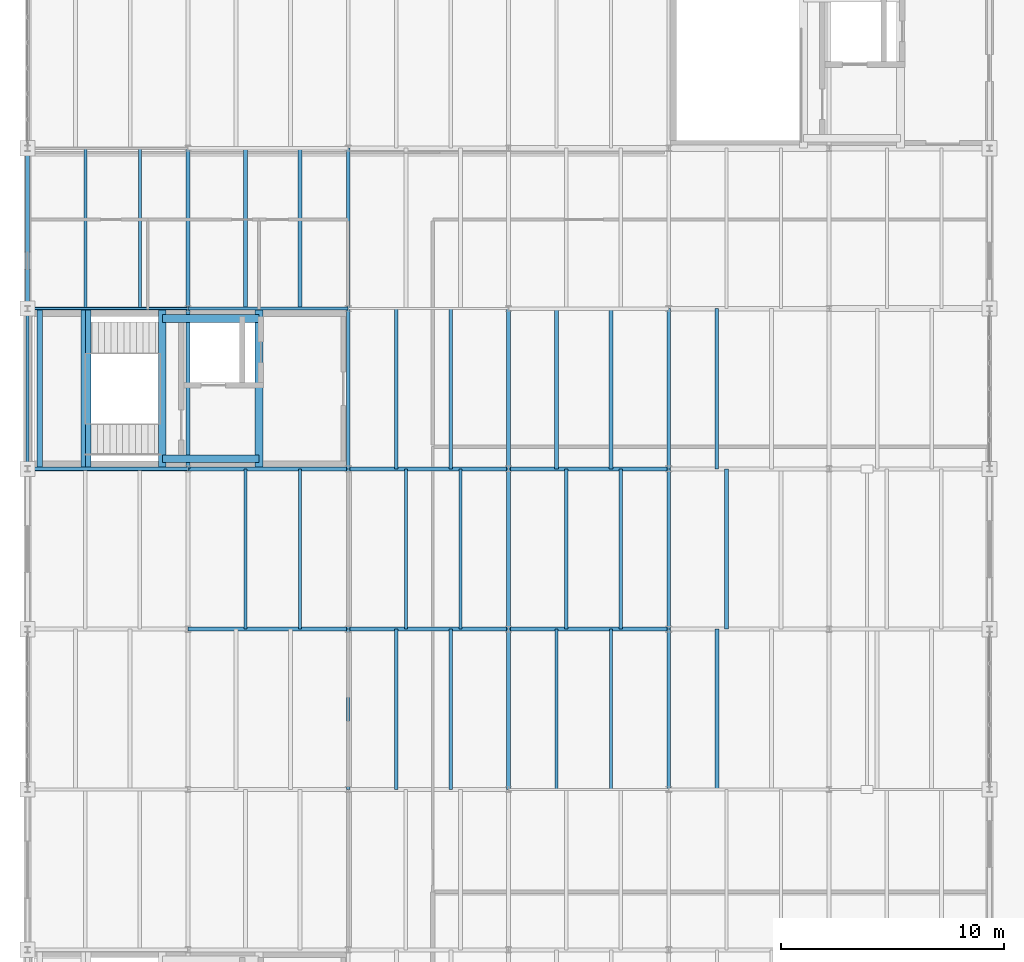
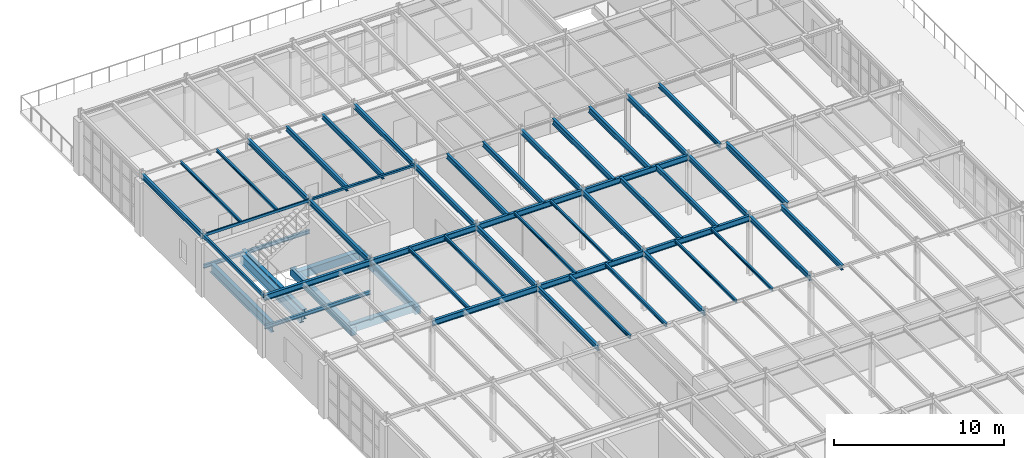
# One storey, part 19 of 36: 53 beams.
"""IFC4 building model written with IfcOpenShell, lengths in metres."""

from ifc_helpers import new_model, si_unit, direction, frame, origin, origin_2d, place, context, subcontext, project, spatial, rectangle, hollow_rectangle, i_section, extrude, material, material_profile, profile_set, type_object, element, save


model = new_model("IFC4")

# Units and contexts
model_context = context("Model", 3, precision=1e-05, world=origin(), true_north=direction((0.0, 1.0)))
body_context = subcontext(model_context, "Body", "Model", "MODEL_VIEW")
ifc_project = project(units=[si_unit("LENGTHUNIT", "METRE"), si_unit("AREAUNIT", "SQUARE_METRE"), si_unit("VOLUMEUNIT", "CUBIC_METRE"), si_unit("PLANEANGLEUNIT", "RADIAN"), si_unit("MASSUNIT", "GRAM", prefix="KILO")], contexts=[model_context])

# Site, building, storey
site_placement = place(None, origin())
site = spatial("IfcSite", under=ifc_project, at=site_placement, CompositionType="ELEMENT")
building_placement = place(site_placement, origin())
building = spatial("IfcBuilding", under=site, at=building_placement, Name="Kemerveld Promenade Tramway Depot", CompositionType="ELEMENT")
storey_placement = place(building_placement, frame((0.0, 0.0, 14.39990234375)))
storey = spatial("IfcBuildingStorey", under=building, at=storey_placement, Name="L03", CompositionType="ELEMENT", Elevation=14.39990234375)

# Beams
ifc_material_1 = material(Name="Steel S355", Category="steel")
ifc_material_profile_1 = material_profile(ifc_material_1, i_section(OverallWidth=0.25439453125, OverallDepth=0.6875, WebThickness=0.01318359375, FlangeThickness=0.02099609375, FilletRadius=0.01513671875, at=origin_2d()), Name="686x254x152 UB")
ifc_profile_set_1 = profile_set([ifc_material_profile_1], Name="Steel S355")
beam_type_1 = type_object("IfcBeamType", Name="BM-G03", PredefinedType="BEAM", material=ifc_profile_set_1)
for number, where, z_axis, x_axis, name in (
    (1, (0.550048828125, 43.199951171875, 1.726318359375), (0.0, 1.0, 0.0), (-1.0, 0.0, 0.0), "BM-HL-ST-02-L03-W"),
    (2, (2.530029296875, 43.199951171875, 1.726318359375), (0.0, 1.0, 0.0), (-1.0, 0.0, 0.0), "BM-HL-ST-02-L03-M"),
    (3, (2.719970703125, 43.199951171875, 1.90625), (0.0, 1.0, 0.0), (-1.0, 0.0, 0.0), "BM-HL-ST-02-L03-F2"),
):
    element("IfcBeam", number, at=place(storey_placement, frame(where, z_axis=z_axis, x_axis=x_axis)), inside=storey, type_object=beam_type_1, Name=name, PredefinedType="BEAM", context=body_context, shape_type="SweptSolid", body=[
        extrude(i_section(OverallWidth=0.25439453125, OverallDepth=0.6875, WebThickness=0.01318359375, FlangeThickness=0.02099609375, FilletRadius=0.01513671875, at=origin_2d()), origin(), (0.0, 0.0, 1.0), 7.199951171875),
    ])
ifc_material_profile_2 = material_profile(ifc_material_1, i_section(OverallWidth=0.1787109375, OverallDepth=0.409423828125, WebThickness=0.0087890625, FlangeThickness=0.014404296875, FilletRadius=0.01025390625, at=origin_2d()), Name="406x178x67 UB")
ifc_profile_set_2 = profile_set([ifc_material_profile_2], Name="Steel S355")
beam_type_2 = type_object("IfcBeamType", Name="BM-G07", PredefinedType="BEAM", material=ifc_profile_set_2)
beam_1_placement = place(storey_placement, frame((7.199951171875, 36.0, 4.080322265625), z_axis=(1.0, 0.0, 0.0), x_axis=(0.0, 1.0, 0.0)))
element("IfcBeam", 4, at=beam_1_placement, inside=storey, type_object=beam_type_2, Name="BMX-L03-02-03-F", PredefinedType="BEAM", context=body_context, shape_type="SweptSolid", body=[
    extrude(i_section(OverallWidth=0.1787109375, OverallDepth=0.409423828125, WebThickness=0.0087890625, FlangeThickness=0.014404296875, FilletRadius=0.01025390625, at=origin_2d()), origin(), (0.0, 0.0, 1.0), 7.199951171875),
])
beam_2_placement = place(storey_placement, frame((14.39990234375, 36.0, 4.080322265625), z_axis=(1.0, 0.0, 0.0), x_axis=(0.0, 1.0, 0.0)))
element("IfcBeam", 5, at=beam_2_placement, inside=storey, type_object=beam_type_2, Name="BMX-L03-03-04-F", PredefinedType="BEAM", context=body_context, shape_type="SweptSolid", body=[
    extrude(i_section(OverallWidth=0.1787109375, OverallDepth=0.409423828125, WebThickness=0.0087890625, FlangeThickness=0.014404296875, FilletRadius=0.01025390625, at=origin_2d()), origin(), (0.0, 0.0, 1.0), 7.2001953125),
])
for number, where, z_axis, x_axis, name in (
    (6, (21.60009765625, 36.0, 4.080322265625), (1.0, 0.0, 0.0), (0.0, 1.0, 0.0), "BMX-L03-04-05-F"),
    (7, (0.0, 43.199951171875, 4.075439453125), (1.0, 0.0, 0.0), (0.0, 1.0, 0.0), "BMX-L03-01-02-G"),
    (8, (7.199951171875, 43.199951171875, 4.075439453125), (1.0, 0.0, 0.0), (0.0, 1.0, 0.0), "BMX-L03-02-03-G"),
):
    element("IfcBeam", number, at=place(storey_placement, frame(where, z_axis=z_axis, x_axis=x_axis)), inside=storey, type_object=beam_type_2, Name=name, PredefinedType="BEAM", context=body_context, shape_type="SweptSolid", body=[
        extrude(i_section(OverallWidth=0.1787109375, OverallDepth=0.409423828125, WebThickness=0.0087890625, FlangeThickness=0.014404296875, FilletRadius=0.01025390625, at=origin_2d()), origin(), (0.0, 0.0, 1.0), 7.199951171875),
    ])
beam_3_placement = place(storey_placement, frame((14.39990234375, 43.199951171875, 4.075439453125), z_axis=(1.0, 0.0, 0.0), x_axis=(0.0, 1.0, 0.0)))
element("IfcBeam", 9, at=beam_3_placement, inside=storey, type_object=beam_type_2, Name="BMX-L03-03-04-G", PredefinedType="BEAM", context=body_context, shape_type="SweptSolid", body=[
    extrude(i_section(OverallWidth=0.1787109375, OverallDepth=0.409423828125, WebThickness=0.0087890625, FlangeThickness=0.014404296875, FilletRadius=0.01025390625, at=origin_2d()), origin(), (0.0, 0.0, 1.0), 7.2001953125),
])
beam_4_placement = place(storey_placement, frame((21.60009765625, 43.199951171875, 4.080322265625), z_axis=(1.0, 0.0, 0.0), x_axis=(0.0, 1.0, 0.0)))
element("IfcBeam", 10, at=beam_4_placement, inside=storey, type_object=beam_type_2, Name="BMX-L03-04-05-G", PredefinedType="BEAM", context=body_context, shape_type="SweptSolid", body=[
    extrude(i_section(OverallWidth=0.1787109375, OverallDepth=0.409423828125, WebThickness=0.0087890625, FlangeThickness=0.014404296875, FilletRadius=0.01025390625, at=origin_2d()), origin(), (0.0, 0.0, 1.0), 7.199951171875),
])
ifc_material_profile_3 = material_profile(ifc_material_1, i_section(OverallWidth=0.172119140625, OverallDepth=0.35791015625, WebThickness=0.008056640625, FlangeThickness=0.012939453125, FilletRadius=0.01025390625, at=origin_2d()), Name="356x171x57 UB")
ifc_profile_set_3 = profile_set([ifc_material_profile_3], Name="Steel S355")
beam_type_3 = type_object("IfcBeamType", Name="BM-G08", PredefinedType="BEAM", material=ifc_profile_set_3)
beam_5_placement = place(storey_placement, frame((0.0, 50.39990234375, 4.10107421875), z_axis=(0.0, 1.0, 0.0), x_axis=(-1.0, 0.0, 0.0)))
element("IfcBeam", 11, at=beam_5_placement, inside=storey, type_object=beam_type_3, Name="BMY-L03-01-H-J", PredefinedType="BEAM", context=body_context, shape_type="SweptSolid", body=[
    extrude(i_section(OverallWidth=0.172119140625, OverallDepth=0.35791015625, WebThickness=0.008056640625, FlangeThickness=0.012939453125, FilletRadius=0.01025390625, at=origin_2d()), origin(), (0.0, 0.0, 1.0), 7.2001953125),
])
beam_6_placement = place(storey_placement, frame((7.199951171875, 43.199951171875, 4.10107421875), z_axis=(0.0, 1.0, 0.0), x_axis=(-1.0, 0.0, 0.0)))
element("IfcBeam", 12, at=beam_6_placement, inside=storey, type_object=beam_type_3, Name="BMY-L03-02-G-H", PredefinedType="BEAM", context=body_context, shape_type="SweptSolid", body=[
    extrude(i_section(OverallWidth=0.172119140625, OverallDepth=0.35791015625, WebThickness=0.008056640625, FlangeThickness=0.012939453125, FilletRadius=0.01025390625, at=origin_2d()), origin(), (0.0, 0.0, 1.0), 7.199951171875),
])
beam_7_placement = place(storey_placement, frame((7.199951171875, 50.39990234375, 4.10107421875), z_axis=(0.0, 1.0, 0.0), x_axis=(-1.0, 0.0, 0.0)))
element("IfcBeam", 13, at=beam_7_placement, inside=storey, type_object=beam_type_3, Name="BMY-L03-02-H-J", PredefinedType="BEAM", context=body_context, shape_type="SweptSolid", body=[
    extrude(i_section(OverallWidth=0.172119140625, OverallDepth=0.35791015625, WebThickness=0.008056640625, FlangeThickness=0.012939453125, FilletRadius=0.01025390625, at=origin_2d()), origin(), (0.0, 0.0, 1.0), 7.2001953125),
])
for number, where, z_axis, x_axis, name in (
    (14, (14.39990234375, 28.800048828125, 4.106201171875), (0.0, 1.0, 0.0), (-1.0, 0.0, 0.0), "BMY-L03-03-E-F"),
    (15, (14.39990234375, 36.0, 4.10107421875), (0.0, 1.0, 0.0), (-1.0, 0.0, 0.0), "BMY-L03-03-F-G"),
    (16, (14.39990234375, 43.199951171875, 4.10107421875), (0.0, 1.0, 0.0), (-1.0, 0.0, 0.0), "BMY-L03-03-G-H"),
):
    element("IfcBeam", number, at=place(storey_placement, frame(where, z_axis=z_axis, x_axis=x_axis)), inside=storey, type_object=beam_type_3, Name=name, PredefinedType="BEAM", context=body_context, shape_type="SweptSolid", body=[
        extrude(i_section(OverallWidth=0.172119140625, OverallDepth=0.35791015625, WebThickness=0.008056640625, FlangeThickness=0.012939453125, FilletRadius=0.01025390625, at=origin_2d()), origin(), (0.0, 0.0, 1.0), 7.199951171875),
    ])
beam_8_placement = place(storey_placement, frame((14.39990234375, 50.39990234375, 4.10107421875), z_axis=(0.0, 1.0, 0.0), x_axis=(-1.0, 0.0, 0.0)))
element("IfcBeam", 17, at=beam_8_placement, inside=storey, type_object=beam_type_3, Name="BMY-L03-03-H-J", PredefinedType="BEAM", context=body_context, shape_type="SweptSolid", body=[
    extrude(i_section(OverallWidth=0.172119140625, OverallDepth=0.35791015625, WebThickness=0.008056640625, FlangeThickness=0.012939453125, FilletRadius=0.01025390625, at=origin_2d()), origin(), (0.0, 0.0, 1.0), 7.2001953125),
])
for number, where, z_axis, x_axis, name in (
    (18, (21.60009765625, 28.800048828125, 4.106201171875), (0.0, 1.0, 0.0), (-1.0, 0.0, 0.0), "BMY-L03-04-E-F"),
    (19, (21.60009765625, 36.0, 4.106201171875), (0.0, 1.0, 0.0), (-1.0, 0.0, 0.0), "BMY-L03-04-F-G"),
    (20, (21.60009765625, 43.199951171875, 4.106201171875), (0.0, 1.0, 0.0), (-1.0, 0.0, 0.0), "BMY-L03-04-G-H"),
    (21, (28.800048828125, 28.800048828125, 4.106201171875), (0.0, 1.0, 0.0), (-1.0, 0.0, 0.0), "BMY-L03-05-E-F"),
    (22, (28.800048828125, 36.0, 4.106201171875), (0.0, 1.0, 0.0), (-1.0, 0.0, 0.0), "BMY-L03-05-F-G"),
    (23, (28.800048828125, 43.199951171875, 4.106201171875), (0.0, 1.0, 0.0), (-1.0, 0.0, 0.0), "BMY-L03-05-G-H"),
):
    element("IfcBeam", number, at=place(storey_placement, frame(where, z_axis=z_axis, x_axis=x_axis)), inside=storey, type_object=beam_type_3, Name=name, PredefinedType="BEAM", context=body_context, shape_type="SweptSolid", body=[
        extrude(i_section(OverallWidth=0.172119140625, OverallDepth=0.35791015625, WebThickness=0.008056640625, FlangeThickness=0.012939453125, FilletRadius=0.01025390625, at=origin_2d()), origin(), (0.0, 0.0, 1.0), 7.199951171875),
    ])
ifc_material_profile_4 = material_profile(ifc_material_1, i_section(OverallWidth=0.165771484375, OverallDepth=0.306640625, WebThickness=0.006591796875, FlangeThickness=0.01171875, FilletRadius=0.0087890625, at=origin_2d()), Name="305x165x46 UB")
ifc_profile_set_4 = profile_set([ifc_material_profile_4], Name="Steel S355")
beam_type_4 = type_object("IfcBeamType", Name="BM-J01", PredefinedType="JOIST", material=ifc_profile_set_4)
beam_9_placement = place(storey_placement, frame((30.9599609375, 43.199951171875, 4.1318359375), z_axis=(0.0, 1.0, 0.0), x_axis=(-1.0, 0.0, 0.0)))
element("IfcBeam", 24, at=beam_9_placement, inside=storey, type_object=beam_type_4, Name="JST-L03-05-G-1", PredefinedType="JOIST", context=body_context, shape_type="SweptSolid", body=[
    extrude(i_section(OverallWidth=0.165771484375, OverallDepth=0.306640625, WebThickness=0.006591796875, FlangeThickness=0.01171875, FilletRadius=0.0087890625, at=origin_2d()), origin(), (0.0, 0.0, 1.0), 7.199951171875),
])
ifc_material_profile_5 = material_profile(ifc_material_1, i_section(OverallWidth=0.146484375, OverallDepth=0.256103515625, WebThickness=0.00634765625, FlangeThickness=0.010986328125, FilletRadius=0.007568359375, at=origin_2d()), Name="254x146x37 UB")
ifc_profile_set_5 = profile_set([ifc_material_profile_5], Name="Steel S355")
beam_type_5 = type_object("IfcBeamType", Name="BM-J02", PredefinedType="JOIST", material=ifc_profile_set_5)
for number, where, z_axis, x_axis, name in (
    (25, (9.7919921875, 36.0, 4.152099609375), (0.0, 1.0, 0.0), (-1.0, 0.0, 0.0), "JST-L03-02-F-1"),
    (26, (12.239990234375, 36.0, 4.152099609375), (0.0, 1.0, 0.0), (-1.0, 0.0, 0.0), "JST-L03-02-F-2"),
    (27, (16.56005859375, 28.800048828125, 4.156982421875), (0.0, 1.0, 0.0), (-1.0, 0.0, 0.0), "JST-L03-03-E-1"),
    (28, (19.008056640625, 28.800048828125, 4.156982421875), (0.0, 1.0, 0.0), (-1.0, 0.0, 0.0), "JST-L03-03-E-2"),
    (29, (0.0, 43.199951171875, 1.942138671875), (1.0, 0.0, 0.0), (0.0, 1.0, 0.0), "BM-HLY-ST-02-L03-S"),
    (30, (0.0, 50.39990234375, 1.942138671875), (1.0, 0.0, 0.0), (0.0, 1.0, 0.0), "BM-HLY-ST-02-L03-N"),
):
    element("IfcBeam", number, at=place(storey_placement, frame(where, z_axis=z_axis, x_axis=x_axis)), inside=storey, type_object=beam_type_5, Name=name, PredefinedType="JOIST", context=body_context, shape_type="SweptSolid", body=[
        extrude(i_section(OverallWidth=0.146484375, OverallDepth=0.256103515625, WebThickness=0.00634765625, FlangeThickness=0.010986328125, FilletRadius=0.007568359375, at=origin_2d()), origin(), (0.0, 0.0, 1.0), 7.199951171875),
    ])
ifc_material_profile_6 = material_profile(ifc_material_1, i_section(OverallWidth=0.13330078125, OverallDepth=0.203125, WebThickness=0.005615234375, FlangeThickness=0.0078125, FilletRadius=0.007568359375, at=origin_2d()), Name="203x133x25 UB")
ifc_profile_set_6 = profile_set([ifc_material_profile_6], Name="Steel S355")
beam_type_6 = type_object("IfcBeamType", Name="BM-J03", PredefinedType="JOIST", material=ifc_profile_set_6)
for number, where, z_axis, x_axis, name in (
    (31, (2.592041015625, 50.39990234375, 4.178466796875), (0.0, 1.0, 0.0), (-1.0, 0.0, 0.0), "JST-L03-01-H-1"),
    (32, (5.0400390625, 50.39990234375, 4.178466796875), (0.0, 1.0, 0.0), (-1.0, 0.0, 0.0), "JST-L03-01-H-2"),
):
    element("IfcBeam", number, at=place(storey_placement, frame(where, z_axis=z_axis, x_axis=x_axis)), inside=storey, type_object=beam_type_6, Name=name, PredefinedType="JOIST", context=body_context, shape_type="SweptSolid", body=[
        extrude(i_section(OverallWidth=0.13330078125, OverallDepth=0.203125, WebThickness=0.005615234375, FlangeThickness=0.0078125, FilletRadius=0.007568359375, at=origin_2d()), origin(), (0.0, 0.0, 1.0), 7.2001953125),
    ])
for number, where, z_axis, x_axis, name in (
    (33, (16.991943359375, 36.0, 4.18359375), (0.0, 1.0, 0.0), (-1.0, 0.0, 0.0), "JST-L03-03-F-1"),
    (34, (19.43994140625, 36.0, 4.18359375), (0.0, 1.0, 0.0), (-1.0, 0.0, 0.0), "JST-L03-03-F-2"),
    (35, (23.760009765625, 28.800048828125, 4.18359375), (0.0, 1.0, 0.0), (-1.0, 0.0, 0.0), "JST-L03-04-E-1"),
    (36, (26.2080078125, 28.800048828125, 4.18359375), (0.0, 1.0, 0.0), (-1.0, 0.0, 0.0), "JST-L03-04-E-2"),
):
    element("IfcBeam", number, at=place(storey_placement, frame(where, z_axis=z_axis, x_axis=x_axis)), inside=storey, type_object=beam_type_6, Name=name, PredefinedType="JOIST", context=body_context, shape_type="SweptSolid", body=[
        extrude(i_section(OverallWidth=0.13330078125, OverallDepth=0.203125, WebThickness=0.005615234375, FlangeThickness=0.0078125, FilletRadius=0.007568359375, at=origin_2d()), origin(), (0.0, 0.0, 1.0), 7.199951171875),
    ])
ifc_material_profile_7 = material_profile(ifc_material_1, i_section(OverallWidth=0.172119140625, OverallDepth=0.35791015625, WebThickness=0.008056640625, FlangeThickness=0.012939453125, FilletRadius=0.01025390625, at=origin_2d()), Name="356x171x57 UB")
ifc_profile_set_7 = profile_set([ifc_material_profile_7], Name="Steel S355")
beam_type_7 = type_object("IfcBeamType", Name="BM-J04", PredefinedType="JOIST", material=ifc_profile_set_7)
for number, where, z_axis, x_axis, name in (
    (37, (9.7919921875, 50.39990234375, 4.10107421875), (0.0, 1.0, 0.0), (-1.0, 0.0, 0.0), "JST-L03-02-H-1"),
    (38, (12.239990234375, 50.39990234375, 4.10107421875), (0.0, 1.0, 0.0), (-1.0, 0.0, 0.0), "JST-L03-02-H-2"),
):
    element("IfcBeam", number, at=place(storey_placement, frame(where, z_axis=z_axis, x_axis=x_axis)), inside=storey, type_object=beam_type_7, Name=name, PredefinedType="JOIST", context=body_context, shape_type="SweptSolid", body=[
        extrude(i_section(OverallWidth=0.172119140625, OverallDepth=0.35791015625, WebThickness=0.008056640625, FlangeThickness=0.012939453125, FilletRadius=0.01025390625, at=origin_2d()), origin(), (0.0, 0.0, 1.0), 7.2001953125),
    ])
for number, where, z_axis, x_axis, name in (
    (39, (16.56005859375, 43.199951171875, 4.106201171875), (0.0, 1.0, 0.0), (-1.0, 0.0, 0.0), "JST-L03-03-G-1"),
    (40, (19.008056640625, 43.199951171875, 4.106201171875), (0.0, 1.0, 0.0), (-1.0, 0.0, 0.0), "JST-L03-03-G-2"),
    (41, (24.19189453125, 36.0, 4.106201171875), (0.0, 1.0, 0.0), (-1.0, 0.0, 0.0), "JST-L03-04-F-1"),
    (42, (26.639892578125, 36.0, 4.106201171875), (0.0, 1.0, 0.0), (-1.0, 0.0, 0.0), "JST-L03-04-F-2"),
    (43, (30.9599609375, 28.800048828125, 4.106201171875), (0.0, 1.0, 0.0), (-1.0, 0.0, 0.0), "JST-L03-05-E-1"),
):
    element("IfcBeam", number, at=place(storey_placement, frame(where, z_axis=z_axis, x_axis=x_axis)), inside=storey, type_object=beam_type_7, Name=name, PredefinedType="JOIST", context=body_context, shape_type="SweptSolid", body=[
        extrude(i_section(OverallWidth=0.172119140625, OverallDepth=0.35791015625, WebThickness=0.008056640625, FlangeThickness=0.012939453125, FilletRadius=0.01025390625, at=origin_2d()), origin(), (0.0, 0.0, 1.0), 7.199951171875),
    ])
ifc_material_profile_8 = material_profile(ifc_material_1, i_section(OverallWidth=0.1787109375, OverallDepth=0.409423828125, WebThickness=0.0087890625, FlangeThickness=0.014404296875, FilletRadius=0.01025390625, at=origin_2d()), Name="406x178x67 UB")
ifc_profile_set_8 = profile_set([ifc_material_profile_8], Name="Steel S355")
beam_type_8 = type_object("IfcBeamType", Name="BM-J05", PredefinedType="JOIST", material=ifc_profile_set_8)
for number, where, z_axis, x_axis, name in (
    (44, (23.760009765625, 43.199951171875, 4.080322265625), (0.0, 1.0, 0.0), (-1.0, 0.0, 0.0), "JST-L03-04-G-1"),
    (45, (26.2080078125, 43.199951171875, 4.080322265625), (0.0, 1.0, 0.0), (-1.0, 0.0, 0.0), "JST-L03-04-G-2"),
    (46, (31.39208984375, 36.0, 4.080322265625), (0.0, 1.0, 0.0), (-1.0, 0.0, 0.0), "JST-L03-05-F-1"),
):
    element("IfcBeam", number, at=place(storey_placement, frame(where, z_axis=z_axis, x_axis=x_axis)), inside=storey, type_object=beam_type_8, Name=name, PredefinedType="JOIST", context=body_context, shape_type="SweptSolid", body=[
        extrude(i_section(OverallWidth=0.1787109375, OverallDepth=0.409423828125, WebThickness=0.0087890625, FlangeThickness=0.014404296875, FilletRadius=0.01025390625, at=origin_2d()), origin(), (0.0, 0.0, 1.0), 7.199951171875),
    ])
ifc_material_2 = material(Name="Concrete C40/50", Category="concrete")
ifc_material_profile_9 = material_profile(ifc_material_2, rectangle(XDim=0.35009765625, YDim=0.550048828125, at=origin_2d()), Name="RC-BM-350x550")
ifc_profile_set_9 = profile_set([ifc_material_profile_9], Name="Concrete C40/50")
beam_type_9 = type_object("IfcBeamType", Name="BM-RC3", PredefinedType="BEAM", material=ifc_profile_set_9)
for number, where, z_axis, x_axis, name in (
    (47, (6.050048828125, 43.199951171875, -0.5), (0.0, 1.0, 0.0), (-1.0, 0.0, 0.0), "BM-CORE-C2-L03-W"),
    (48, (10.39990234375, 43.199951171875, -0.5), (0.0, 1.0, 0.0), (-1.0, 0.0, 0.0), "BM-CORE-C2-L03-E"),
):
    element("IfcBeam", number, at=place(storey_placement, frame(where, z_axis=z_axis, x_axis=x_axis)), inside=storey, type_object=beam_type_9, Name=name, PredefinedType="BEAM", context=body_context, shape_type="SweptSolid", body=[
        extrude(rectangle(XDim=0.35009765625, YDim=0.550048828125, at=origin_2d()), origin(), (0.0, 0.0, 1.0), 7.199951171875),
    ])
for number, where, z_axis, x_axis, name in (
    (49, (6.050048828125, 43.64990234375, -0.5), (1.0, 0.0, 0.0), (0.0, 1.0, 0.0), "BM-COREX-C2-L03-S"),
    (50, (6.050048828125, 49.949951171875, -0.5), (1.0, 0.0, 0.0), (0.0, 1.0, 0.0), "BM-COREX-C2-L03-N"),
):
    element("IfcBeam", number, at=place(storey_placement, frame(where, z_axis=z_axis, x_axis=x_axis)), inside=storey, type_object=beam_type_9, Name=name, PredefinedType="BEAM", context=body_context, shape_type="SweptSolid", body=[
        extrude(rectangle(XDim=0.35009765625, YDim=0.550048828125, at=origin_2d()), origin(), (0.0, 0.0, 1.0), 4.349853515625),
    ])
ifc_material_profile_10 = material_profile(ifc_material_1, hollow_rectangle(XDim=0.14990234375, YDim=0.25, WallThickness=0.010009765625, InnerFilletRadius=0.0048828125, OuterFilletRadius=0.014892578125, at=origin_2d()), Name="250x150x10.0 RHS")
ifc_profile_set_10 = profile_set([ifc_material_profile_10], Name="Steel S355")
beam_type_10 = type_object("IfcBeamType", Name="BM-SP2", PredefinedType="SPANDREL", material=ifc_profile_set_10)
beam_10_placement = place(storey_placement, frame((0.0, 43.199951171875, 4.155029296875), z_axis=(0.0, 1.0, 0.0), x_axis=(-1.0, 0.0, 0.0)))
element("IfcBeam", 51, at=beam_10_placement, inside=storey, type_object=beam_type_10, Name="BMY-L03-01-G-H", PredefinedType="SPANDREL", context=body_context, shape_type="SweptSolid", body=[
    extrude(hollow_rectangle(XDim=0.14990234375, YDim=0.25, WallThickness=0.010009765625, InnerFilletRadius=0.0048828125, OuterFilletRadius=0.014892578125, at=origin_2d()), origin(), (0.0, 0.0, 1.0), 7.199951171875),
])
ifc_material_profile_11 = material_profile(ifc_material_1, hollow_rectangle(XDim=0.10009765625, YDim=0.199951171875, WallThickness=0.008056640625, InnerFilletRadius=0.00390625, OuterFilletRadius=0.011962890625, at=origin_2d()), Name="200x100x8.0 RHS")
ifc_profile_set_11 = profile_set([ifc_material_profile_11], Name="Steel S355")
beam_type_11 = type_object("IfcBeamType", Name="BM-SP3", PredefinedType="SPANDREL", material=ifc_profile_set_11)
beam_11_placement = place(storey_placement, frame((0.0, 50.39990234375, 4.18017578125), z_axis=(1.0, 0.0, 0.0), x_axis=(0.0, 1.0, 0.0)))
element("IfcBeam", 52, at=beam_11_placement, inside=storey, type_object=beam_type_11, Name="BMX-L03-01-02-H", PredefinedType="SPANDREL", context=body_context, shape_type="SweptSolid", body=[
    extrude(hollow_rectangle(XDim=0.10009765625, YDim=0.199951171875, WallThickness=0.008056640625, InnerFilletRadius=0.00390625, OuterFilletRadius=0.011962890625, at=origin_2d()), origin(), (0.0, 0.0, 1.0), 7.199951171875),
])
ifc_material_profile_12 = material_profile(ifc_material_1, hollow_rectangle(XDim=0.14990234375, YDim=0.14990234375, WallThickness=0.008056640625, InnerFilletRadius=0.00390625, OuterFilletRadius=0.011962890625, at=origin_2d()), Name="150x150x8.0 SHS")
ifc_profile_set_12 = profile_set([ifc_material_profile_12], Name="Steel S355")
beam_type_12 = type_object("IfcBeamType", Name="BM-SP4", PredefinedType="SPANDREL", material=ifc_profile_set_12)
beam_12_placement = place(storey_placement, frame((7.199951171875, 50.39990234375, 4.205078125), z_axis=(1.0, 0.0, 0.0), x_axis=(0.0, 1.0, 0.0)))
element("IfcBeam", 53, at=beam_12_placement, inside=storey, type_object=beam_type_12, Name="BMX-L03-02-03-H", PredefinedType="SPANDREL", context=body_context, shape_type="SweptSolid", body=[
    extrude(hollow_rectangle(XDim=0.14990234375, YDim=0.14990234375, WallThickness=0.008056640625, InnerFilletRadius=0.00390625, OuterFilletRadius=0.011962890625, at=origin_2d()), origin(), (0.0, 0.0, 1.0), 7.199951171875),
])

save(model, "model.ifc")
